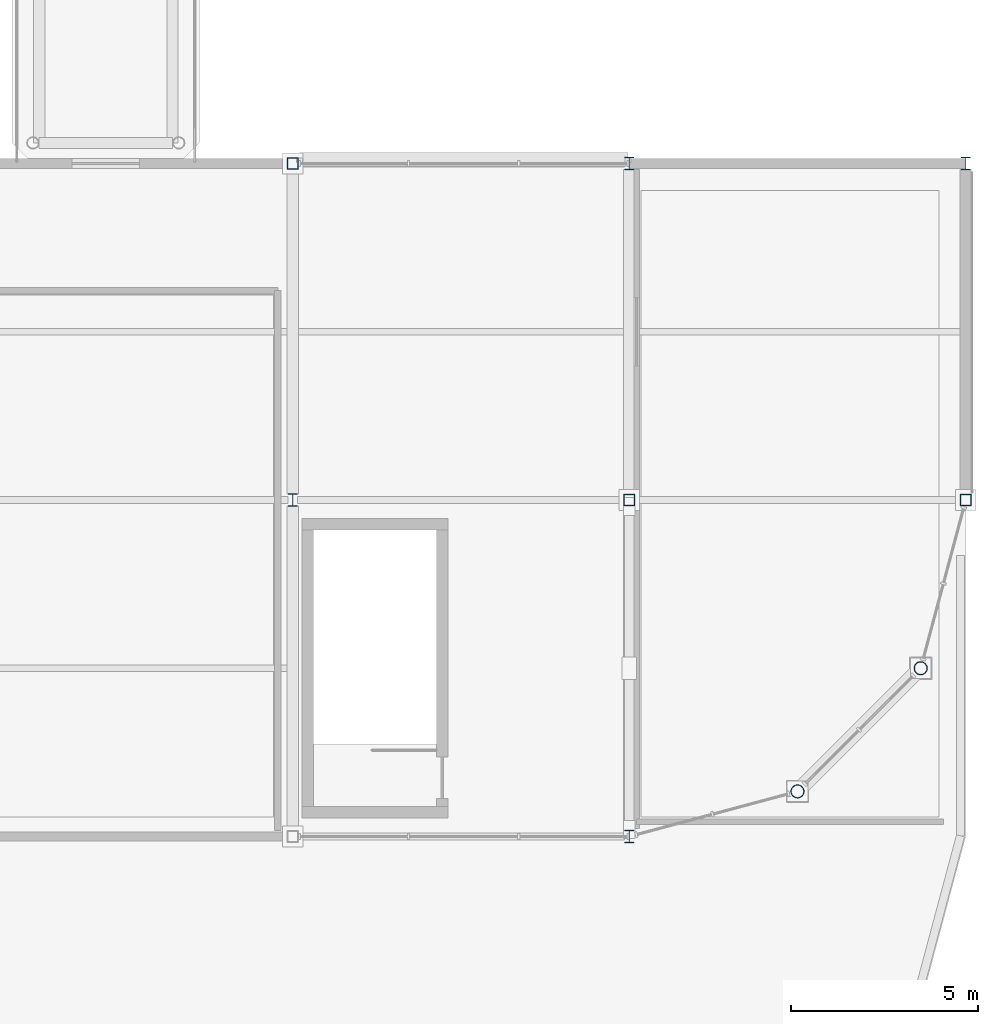
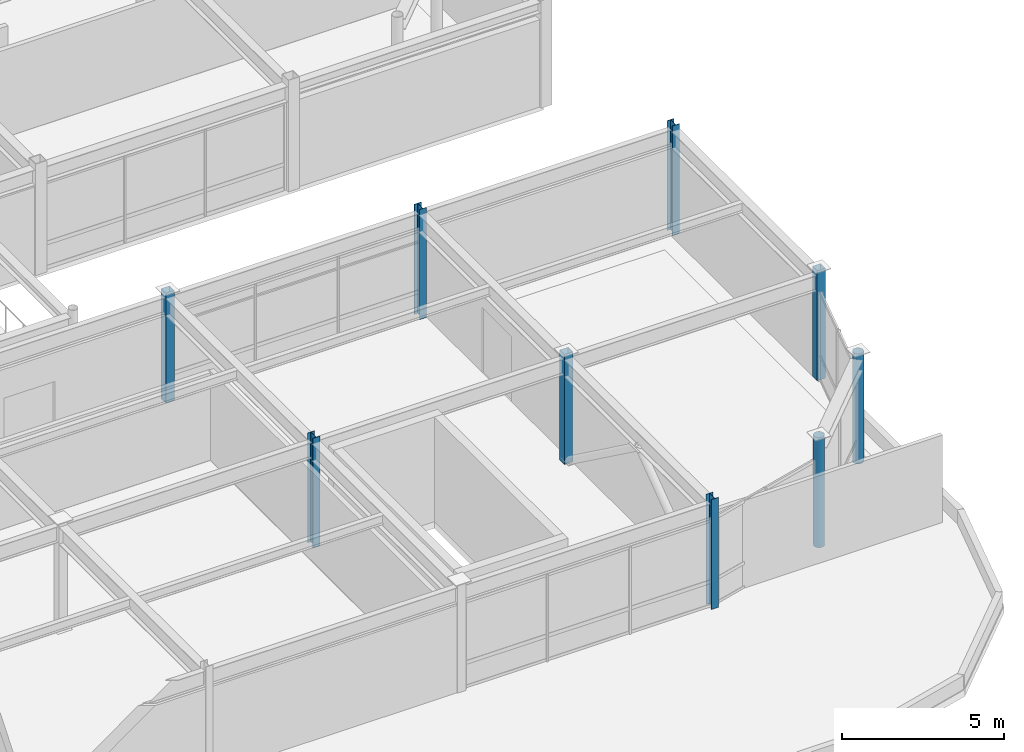
# One storey, part 11 of 70: 9 columns.
"""IFC4 building model written with IfcOpenShell, lengths in metres."""

from ifc_helpers import new_model, si_unit, direction, frame, origin, origin_2d, place, context, subcontext, project, spatial, hollow_rectangle, hollow_circle, i_section, extrude, material, material_profile, profile_set, type_object, element, save


model = new_model("IFC4")

# Units and contexts
model_context = context("Model", 3, precision=1e-05, world=origin(), true_north=direction((0.0, 1.0)))
body_context = subcontext(model_context, "Body", "Model", "MODEL_VIEW")
ifc_project = project(units=[si_unit("LENGTHUNIT", "METRE"), si_unit("AREAUNIT", "SQUARE_METRE"), si_unit("VOLUMEUNIT", "CUBIC_METRE"), si_unit("PLANEANGLEUNIT", "RADIAN"), si_unit("MASSUNIT", "GRAM", prefix="KILO")], contexts=[model_context])

# Site, building, storey
site_placement = place(None, origin())
site = spatial("IfcSite", under=ifc_project, at=site_placement, CompositionType="ELEMENT")
building_placement = place(site_placement, origin())
building = spatial("IfcBuilding", under=site, at=building_placement, Name="Suzunagisa Mobility Hub", CompositionType="ELEMENT")
storey_placement = place(building_placement, frame((0.0, 0.0, 13.5)))
storey = spatial("IfcBuildingStorey", under=building, at=storey_placement, Name="L03", CompositionType="ELEMENT", Elevation=13.5)

# Columns
ifc_material = material(Name="Steel SN490B", Category="steel")
ifc_material_profile_1 = material_profile(ifc_material, i_section(OverallWidth=0.25, OverallDepth=0.340087890625, WebThickness=0.009033203125, FlangeThickness=0.013916015625, FilletRadius=0.010009765625, at=origin_2d()), Name="H-340x250x9x14")
ifc_profile_set_1 = profile_set([ifc_material_profile_1], Name="Steel SN490B")
column_type_1 = type_object("IfcColumnType", Name="Steel Column CL-02 H-340x250x9x14", PredefinedType="COLUMN", material=ifc_profile_set_1)
for number, where, z_axis, x_axis, name in (
    (1, (162.0, 27.0, 0.0), (0.0, 0.0, 1.0), (1.0, 0.0, 0.0), "L03 Column 286"),
    (2, (171.0, 18.0, 0.0), (0.0, 0.0, 1.0), (1.0, 0.0, 0.0), "L03 Column 298"),
    (3, (171.0, 36.0, 0.0), (0.0, 0.0, 1.0), (1.0, 0.0, 0.0), "L03 Column 300"),
    (4, (180.0, 36.0, 0.0), (0.0, 0.0, 1.0), (1.0, 0.0, 0.0), "L03 Column 324"),
):
    element("IfcColumn", number, at=place(storey_placement, frame(where, z_axis=z_axis, x_axis=x_axis)), inside=storey, type_object=column_type_1, Name=name, PredefinedType="COLUMN", context=body_context, shape_type="SweptSolid", body=[
        extrude(i_section(OverallWidth=0.25, OverallDepth=0.340087890625, WebThickness=0.009033203125, FlangeThickness=0.013916015625, FilletRadius=0.010009765625, at=origin_2d()), origin(), (0.0, 0.0, 1.0), 4.139892578125),
    ])
ifc_material_profile_2 = material_profile(ifc_material, hollow_rectangle(XDim=0.300048828125, YDim=0.300048828125, WallThickness=0.011962890625, at=origin_2d()), Name="BCR-300x300x12")
ifc_profile_set_2 = profile_set([ifc_material_profile_2], Name="Steel SN490B")
column_type_2 = type_object("IfcColumnType", Name="Steel Column CL-12 BCR-300x300x12", PredefinedType="COLUMN", material=ifc_profile_set_2)
for number, where, z_axis, x_axis, name in (
    (5, (162.0, 36.0, 0.0), (0.0, 0.0, 1.0), (1.0, 0.0, 0.0), "L03 Column 287"),
    (6, (171.0, 27.0, 0.0), (0.0, 0.0, 1.0), (1.0, 0.0, 0.0), "L03 Column 299"),
    (7, (180.0, 27.0, 0.0), (0.0, 0.0, 1.0), (1.0, 0.0, 0.0), "L03 Column 323"),
):
    element("IfcColumn", number, at=place(storey_placement, frame(where, z_axis=z_axis, x_axis=x_axis)), inside=storey, type_object=column_type_2, Name=name, PredefinedType="COLUMN", context=body_context, shape_type="SweptSolid", body=[
        extrude(hollow_rectangle(XDim=0.300048828125, YDim=0.300048828125, WallThickness=0.011962890625, at=origin_2d()), origin(), (0.0, 0.0, 1.0), 4.139892578125),
    ])
ifc_material_profile_3 = material_profile(ifc_material, hollow_circle(Radius=0.177734375, WallThickness=0.0126953125, at=origin_2d()), Name="CHS-355.6x12.7")
ifc_profile_set_3 = profile_set([ifc_material_profile_3], Name="Steel SN490B")
column_type_3 = type_object("IfcColumnType", Name="Steel Column CL-18 CHS-355.6x12.7", PredefinedType="COLUMN", material=ifc_profile_set_3)
for number, where, z_axis, x_axis, name in (
    (8, (175.5, 19.205810546875, 0.0), (0.0, 0.0, 1.0), (1.0, 0.0, 0.0), "L03 Column 311"),
    (9, (178.794189453125, 22.5, 0.0), (0.0, 0.0, 1.0), (1.0, 0.0, 0.0), "L03 Column 317"),
):
    element("IfcColumn", number, at=place(storey_placement, frame(where, z_axis=z_axis, x_axis=x_axis)), inside=storey, type_object=column_type_3, Name=name, PredefinedType="COLUMN", context=body_context, shape_type="SweptSolid", body=[
        extrude(hollow_circle(Radius=0.177734375, WallThickness=0.0126953125, at=origin_2d()), origin(), (0.0, 0.0, 1.0), 4.139892578125),
    ])

save(model, "model.ifc")
